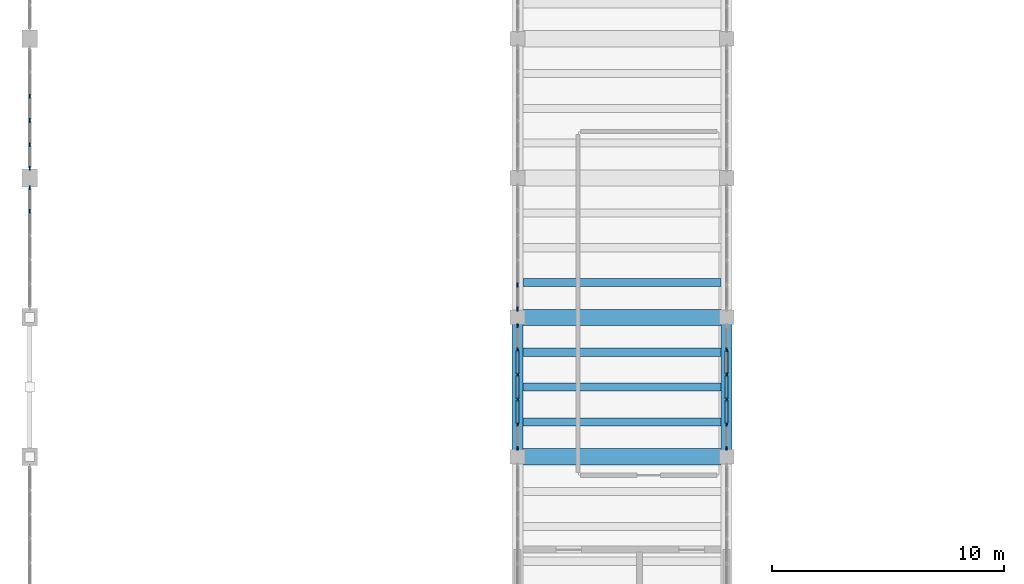
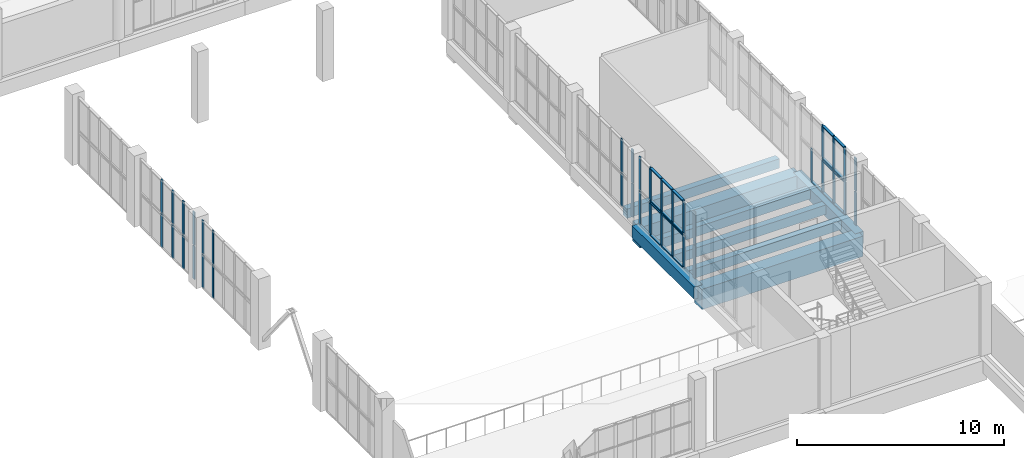
# One storey, part 5 of 85: 58 members, 8 beams, 10 elements without a shape of their own.
"""IFC4 building model written with IfcOpenShell, lengths in metres."""

from ifc_helpers import new_model, si_unit, direction, frame, origin, origin_2d, place, context, subcontext, project, spatial, rectangle, extrude, material, layer, layer_set, material_profile, profile_set, type_object, element, aggregate, save


model = new_model("IFC4")

# Units and contexts
model_context = context("Model", 3, precision=1e-05, world=origin(), true_north=direction((0.0, 1.0)))
body_context = subcontext(model_context, "Body", "Model", "MODEL_VIEW")
ifc_project = project(units=[si_unit("LENGTHUNIT", "METRE"), si_unit("AREAUNIT", "SQUARE_METRE"), si_unit("VOLUMEUNIT", "CUBIC_METRE"), si_unit("PLANEANGLEUNIT", "RADIAN"), si_unit("MASSUNIT", "GRAM", prefix="KILO")], contexts=[model_context])

# Site, building, storey
site_placement = place(None, origin())
site = spatial("IfcSite", under=ifc_project, at=site_placement, CompositionType="ELEMENT")
building_placement = place(site_placement, origin())
building = spatial("IfcBuilding", under=site, at=building_placement, Name="Solvane Community Centre", CompositionType="ELEMENT")
storey_placement = place(building_placement, frame((0.0, 0.0, 5.39990234375)))
storey = spatial("IfcBuildingStorey", under=building, at=storey_placement, Name="L01", CompositionType="ELEMENT", Elevation=5.39990234375)

# Curtain wall, members
ifc_material_1 = material(Name="Anodised bronze aluminium AW-6063 T6", Category="aluminium")
ifc_layer_1 = layer(ifc_material_1, 0.179931640625)
ifc_layer_set_1 = layer_set([ifc_layer_1], Name="Anodised bronze aluminium AW-6063 T6")
curtain_wall_type_1 = type_object("IfcCurtainWallType", Name="Hall Translucent Upper Curtain Wall [53x19dm]", PredefinedType="NOTDEFINED", material=ifc_layer_set_1)
curtain_wall_1_placement = place(storey_placement, origin())
curtain_wall_1 = element("IfcCurtainWall", 1, at=curtain_wall_1_placement, inside=storey, type_object=curtain_wall_type_1, Name="Curtain Wall CW-L01-360_543-043", PredefinedType="NOTDEFINED")
ifc_material_profile_1 = material_profile(ifc_material_1, rectangle(XDim=0.06005859375, YDim=0.179931640625, at=origin_2d()), Name="CW-M 60x180")
ifc_profile_set_1 = profile_set([ifc_material_profile_1], Name="Anodised bronze aluminium AW-6063 T6")
member_type_1 = type_object("IfcMemberType", Name="Hall Mullion 60x180", PredefinedType="MULLION", material=ifc_profile_set_1)
member_1_placement = place(storey_placement, frame((36.0, 54.360107421875, 0.0), z_axis=(0.0, 0.0, 1.0), x_axis=(-1.0, 0.0, 0.0)))
member_1 = element("IfcMember", 2, at=member_1_placement, type_object=member_type_1, Name="CW01-53x19 mullion 1", PredefinedType="MULLION", context=body_context, shape_type="SweptSolid", body=[
    extrude(rectangle(XDim=0.06005859375, YDim=0.179931640625, at=origin_2d()), origin(), (0.0, 0.0, 1.0), 1.9501953125),
])
member_2_placement = place(storey_placement, frame((36.0, 55.39794921875, 0.0), z_axis=(0.0, 0.0, 1.0), x_axis=(-1.0, 0.0, 0.0)))
member_2 = element("IfcMember", 3, at=member_2_placement, type_object=member_type_1, Name="CW01-53x19 mullion 2", PredefinedType="MULLION", context=body_context, shape_type="SweptSolid", body=[
    extrude(rectangle(XDim=0.06005859375, YDim=0.179931640625, at=origin_2d()), origin(), (0.0, 0.0, 1.0), 1.9501953125),
])
member_3_placement = place(storey_placement, frame((36.0, 56.466064453125, 0.0), z_axis=(0.0, 0.0, 1.0), x_axis=(-1.0, 0.0, 0.0)))
member_3 = element("IfcMember", 4, at=member_3_placement, type_object=member_type_1, Name="CW01-53x19 mullion 3", PredefinedType="MULLION", context=body_context, shape_type="SweptSolid", body=[
    extrude(rectangle(XDim=0.06005859375, YDim=0.179931640625, at=origin_2d()), origin(), (0.0, 0.0, 1.0), 1.9501953125),
])
member_4_placement = place(storey_placement, frame((36.0, 57.533935546875, 0.0), z_axis=(0.0, 0.0, 1.0), x_axis=(-1.0, 0.0, 0.0)))
member_4 = element("IfcMember", 5, at=member_4_placement, type_object=member_type_1, Name="CW01-53x19 mullion 4", PredefinedType="MULLION", context=body_context, shape_type="SweptSolid", body=[
    extrude(rectangle(XDim=0.06005859375, YDim=0.179931640625, at=origin_2d()), origin(), (0.0, 0.0, 1.0), 1.9501953125),
])
member_5_placement = place(storey_placement, frame((36.0, 58.60205078125, 0.0), z_axis=(0.0, 0.0, 1.0), x_axis=(-1.0, 0.0, 0.0)))
member_5 = element("IfcMember", 6, at=member_5_placement, type_object=member_type_1, Name="CW01-53x19 mullion 5", PredefinedType="MULLION", context=body_context, shape_type="SweptSolid", body=[
    extrude(rectangle(XDim=0.06005859375, YDim=0.179931640625, at=origin_2d()), origin(), (0.0, 0.0, 1.0), 1.9501953125),
])

ifc_layer_2 = layer(ifc_material_1, 0.179931640625)
ifc_layer_set_2 = layer_set([ifc_layer_2], Name="Anodised bronze aluminium AW-6063 T6")
curtain_wall_type_2 = type_object("IfcCurtainWallType", Name="Hall Translucent Upper Curtain Wall [53x20dm]", PredefinedType="NOTDEFINED", material=ifc_layer_set_2)
curtain_wall_2_placement = place(storey_placement, origin())
curtain_wall_2 = element("IfcCurtainWall", 7, at=curtain_wall_2_placement, inside=storey, type_object=curtain_wall_type_2, Name="Curtain Wall CW-L01-360_543-044", PredefinedType="NOTDEFINED")
member_6_placement = place(storey_placement, frame((36.0, 54.360107421875, 2.02001953125), z_axis=(0.0, 0.0, 1.0), x_axis=(-1.0, 0.0, 0.0)))
member_6 = element("IfcMember", 8, at=member_6_placement, type_object=member_type_1, Name="CW01-53x20 mullion 1", PredefinedType="MULLION", context=body_context, shape_type="SweptSolid", body=[
    extrude(rectangle(XDim=0.06005859375, YDim=0.179931640625, at=origin_2d()), origin(), (0.0, 0.0, 1.0), 1.9599609375),
])
member_7_placement = place(storey_placement, frame((36.0, 55.39794921875, 2.02001953125), z_axis=(0.0, 0.0, 1.0), x_axis=(-1.0, 0.0, 0.0)))
member_7 = element("IfcMember", 9, at=member_7_placement, type_object=member_type_1, Name="CW01-53x20 mullion 2", PredefinedType="MULLION", context=body_context, shape_type="SweptSolid", body=[
    extrude(rectangle(XDim=0.06005859375, YDim=0.179931640625, at=origin_2d()), origin(), (0.0, 0.0, 1.0), 1.9599609375),
])
member_8_placement = place(storey_placement, frame((36.0, 56.466064453125, 2.02001953125), z_axis=(0.0, 0.0, 1.0), x_axis=(-1.0, 0.0, 0.0)))
member_8 = element("IfcMember", 10, at=member_8_placement, type_object=member_type_1, Name="CW01-53x20 mullion 3", PredefinedType="MULLION", context=body_context, shape_type="SweptSolid", body=[
    extrude(rectangle(XDim=0.06005859375, YDim=0.179931640625, at=origin_2d()), origin(), (0.0, 0.0, 1.0), 1.9599609375),
])
member_9_placement = place(storey_placement, frame((36.0, 57.533935546875, 2.02001953125), z_axis=(0.0, 0.0, 1.0), x_axis=(-1.0, 0.0, 0.0)))
member_9 = element("IfcMember", 11, at=member_9_placement, type_object=member_type_1, Name="CW01-53x20 mullion 4", PredefinedType="MULLION", context=body_context, shape_type="SweptSolid", body=[
    extrude(rectangle(XDim=0.06005859375, YDim=0.179931640625, at=origin_2d()), origin(), (0.0, 0.0, 1.0), 1.9599609375),
])

curtain_wall_3_placement = place(storey_placement, origin())
curtain_wall_3 = element("IfcCurtainWall", 12, at=curtain_wall_3_placement, inside=storey, type_object=curtain_wall_type_1, Name="Curtain Wall CW-L01-270_597-047", PredefinedType="NOTDEFINED")
member_10_placement = place(storey_placement, frame((27.0, 59.639892578125, 0.0), z_axis=(0.0, 0.0, 1.0), x_axis=(1.0, 0.0, 0.0)))
member_10 = element("IfcMember", 13, at=member_10_placement, type_object=member_type_1, Name="CW01-53x19 mullion 1", PredefinedType="MULLION", context=body_context, shape_type="SweptSolid", body=[
    extrude(rectangle(XDim=0.06005859375, YDim=0.179931640625, at=origin_2d()), origin(), (0.0, 0.0, 1.0), 1.9501953125),
])
member_11_placement = place(storey_placement, frame((27.0, 58.60205078125, 0.0), z_axis=(0.0, 0.0, 1.0), x_axis=(1.0, 0.0, 0.0)))
member_11 = element("IfcMember", 14, at=member_11_placement, type_object=member_type_1, Name="CW01-53x19 mullion 2", PredefinedType="MULLION", context=body_context, shape_type="SweptSolid", body=[
    extrude(rectangle(XDim=0.06005859375, YDim=0.179931640625, at=origin_2d()), origin(), (0.0, 0.0, 1.0), 1.9501953125),
])
member_12_placement = place(storey_placement, frame((27.0, 57.533935546875, 0.0), z_axis=(0.0, 0.0, 1.0), x_axis=(1.0, 0.0, 0.0)))
member_12 = element("IfcMember", 15, at=member_12_placement, type_object=member_type_1, Name="CW01-53x19 mullion 3", PredefinedType="MULLION", context=body_context, shape_type="SweptSolid", body=[
    extrude(rectangle(XDim=0.06005859375, YDim=0.179931640625, at=origin_2d()), origin(), (0.0, 0.0, 1.0), 1.9501953125),
])
member_13_placement = place(storey_placement, frame((27.0, 56.466064453125, 0.0), z_axis=(0.0, 0.0, 1.0), x_axis=(1.0, 0.0, 0.0)))
member_13 = element("IfcMember", 16, at=member_13_placement, type_object=member_type_1, Name="CW01-53x19 mullion 4", PredefinedType="MULLION", context=body_context, shape_type="SweptSolid", body=[
    extrude(rectangle(XDim=0.06005859375, YDim=0.179931640625, at=origin_2d()), origin(), (0.0, 0.0, 1.0), 1.9501953125),
])
member_14_placement = place(storey_placement, frame((27.0, 55.39794921875, 0.0), z_axis=(0.0, 0.0, 1.0), x_axis=(1.0, 0.0, 0.0)))
member_14 = element("IfcMember", 17, at=member_14_placement, type_object=member_type_1, Name="CW01-53x19 mullion 5", PredefinedType="MULLION", context=body_context, shape_type="SweptSolid", body=[
    extrude(rectangle(XDim=0.06005859375, YDim=0.179931640625, at=origin_2d()), origin(), (0.0, 0.0, 1.0), 1.9501953125),
])
member_15_placement = place(storey_placement, frame((27.0, 54.360107421875, 0.0), z_axis=(0.0, 0.0, 1.0), x_axis=(1.0, 0.0, 0.0)))
member_15 = element("IfcMember", 18, at=member_15_placement, type_object=member_type_1, Name="CW01-53x19 mullion 6", PredefinedType="MULLION", context=body_context, shape_type="SweptSolid", body=[
    extrude(rectangle(XDim=0.06005859375, YDim=0.179931640625, at=origin_2d()), origin(), (0.0, 0.0, 1.0), 1.9501953125),
])

curtain_wall_4_placement = place(storey_placement, origin())
curtain_wall_4 = element("IfcCurtainWall", 19, at=curtain_wall_4_placement, inside=storey, type_object=curtain_wall_type_2, Name="Curtain Wall CW-L01-270_597-048", PredefinedType="NOTDEFINED")
member_16_placement = place(storey_placement, frame((27.0, 59.639892578125, 2.02001953125), z_axis=(0.0, 0.0, 1.0), x_axis=(1.0, 0.0, 0.0)))
member_16 = element("IfcMember", 20, at=member_16_placement, type_object=member_type_1, Name="CW01-53x20 mullion 1", PredefinedType="MULLION", context=body_context, shape_type="SweptSolid", body=[
    extrude(rectangle(XDim=0.06005859375, YDim=0.179931640625, at=origin_2d()), origin(), (0.0, 0.0, 1.0), 1.9599609375),
])
member_17_placement = place(storey_placement, frame((27.0, 58.60205078125, 2.02001953125), z_axis=(0.0, 0.0, 1.0), x_axis=(1.0, 0.0, 0.0)))
member_17 = element("IfcMember", 21, at=member_17_placement, type_object=member_type_1, Name="CW01-53x20 mullion 2", PredefinedType="MULLION", context=body_context, shape_type="SweptSolid", body=[
    extrude(rectangle(XDim=0.06005859375, YDim=0.179931640625, at=origin_2d()), origin(), (0.0, 0.0, 1.0), 1.9599609375),
])
member_18_placement = place(storey_placement, frame((27.0, 57.533935546875, 2.02001953125), z_axis=(0.0, 0.0, 1.0), x_axis=(1.0, 0.0, 0.0)))
member_18 = element("IfcMember", 22, at=member_18_placement, type_object=member_type_1, Name="CW01-53x20 mullion 3", PredefinedType="MULLION", context=body_context, shape_type="SweptSolid", body=[
    extrude(rectangle(XDim=0.06005859375, YDim=0.179931640625, at=origin_2d()), origin(), (0.0, 0.0, 1.0), 1.9599609375),
])
member_19_placement = place(storey_placement, frame((27.0, 56.466064453125, 2.02001953125), z_axis=(0.0, 0.0, 1.0), x_axis=(1.0, 0.0, 0.0)))
member_19 = element("IfcMember", 23, at=member_19_placement, type_object=member_type_1, Name="CW01-53x20 mullion 4", PredefinedType="MULLION", context=body_context, shape_type="SweptSolid", body=[
    extrude(rectangle(XDim=0.06005859375, YDim=0.179931640625, at=origin_2d()), origin(), (0.0, 0.0, 1.0), 1.9599609375),
])
member_20_placement = place(storey_placement, frame((27.0, 55.39794921875, 2.02001953125), z_axis=(0.0, 0.0, 1.0), x_axis=(1.0, 0.0, 0.0)))
member_20 = element("IfcMember", 24, at=member_20_placement, type_object=member_type_1, Name="CW01-53x20 mullion 5", PredefinedType="MULLION", context=body_context, shape_type="SweptSolid", body=[
    extrude(rectangle(XDim=0.06005859375, YDim=0.179931640625, at=origin_2d()), origin(), (0.0, 0.0, 1.0), 1.9599609375),
])
member_21_placement = place(storey_placement, frame((27.0, 54.360107421875, 2.02001953125), z_axis=(0.0, 0.0, 1.0), x_axis=(1.0, 0.0, 0.0)))
member_21 = element("IfcMember", 25, at=member_21_placement, type_object=member_type_1, Name="CW01-53x20 mullion 6", PredefinedType="MULLION", context=body_context, shape_type="SweptSolid", body=[
    extrude(rectangle(XDim=0.06005859375, YDim=0.179931640625, at=origin_2d()), origin(), (0.0, 0.0, 1.0), 1.9599609375),
])

ifc_layer_3 = layer(ifc_material_1, 0.179931640625)
ifc_layer_set_3 = layer_set([ifc_layer_3], Name="Anodised bronze aluminium AW-6063 T6")
curtain_wall_type_3 = type_object("IfcCurtainWallType", Name="Hall Translucent Upper Curtain Wall [52x19dm]", PredefinedType="NOTDEFINED", material=ifc_layer_set_3)
curtain_wall_5_placement = place(storey_placement, origin())
curtain_wall_5 = element("IfcCurtainWall", 26, at=curtain_wall_5_placement, inside=storey, type_object=curtain_wall_type_3, Name="Curtain Wall CW-L01-60_604-053", PredefinedType="NOTDEFINED")
member_22_placement = place(storey_placement, frame((6.0, 64.56298828125, 0.0), z_axis=(0.0, 0.0, 1.0), x_axis=(-1.0, 0.0, 0.0)))
member_22 = element("IfcMember", 27, at=member_22_placement, type_object=member_type_1, Name="CW01-52x19 mullion 5", PredefinedType="MULLION", context=body_context, shape_type="SweptSolid", body=[
    extrude(rectangle(XDim=0.06005859375, YDim=0.179931640625, at=origin_2d()), origin(), (0.0, 0.0, 1.0), 1.9501953125),
])
member_23_placement = place(storey_placement, frame((6.0, 65.574951171875, 0.0), z_axis=(0.0, 0.0, 1.0), x_axis=(-1.0, 0.0, 0.0)))
member_23 = element("IfcMember", 28, at=member_23_placement, type_object=member_type_1, Name="CW01-52x19 mullion 6", PredefinedType="MULLION", context=body_context, shape_type="SweptSolid", body=[
    extrude(rectangle(XDim=0.06005859375, YDim=0.179931640625, at=origin_2d()), origin(), (0.0, 0.0, 1.0), 1.9501953125),
])
aggregate(curtain_wall_5, [member_22, member_23])

ifc_layer_4 = layer(ifc_material_1, 0.179931640625)
ifc_layer_set_4 = layer_set([ifc_layer_4], Name="Anodised bronze aluminium AW-6063 T6")
curtain_wall_type_4 = type_object("IfcCurtainWallType", Name="Hall Translucent Upper Curtain Wall [52x20dm]", PredefinedType="NOTDEFINED", material=ifc_layer_set_4)
curtain_wall_6_placement = place(storey_placement, origin())
curtain_wall_6 = element("IfcCurtainWall", 29, at=curtain_wall_6_placement, inside=storey, type_object=curtain_wall_type_4, Name="Curtain Wall CW-L01-60_604-054", PredefinedType="NOTDEFINED")
member_24_placement = place(storey_placement, frame((6.0, 64.56298828125, 2.02001953125), z_axis=(0.0, 0.0, 1.0), x_axis=(-1.0, 0.0, 0.0)))
member_24 = element("IfcMember", 30, at=member_24_placement, type_object=member_type_1, Name="CW01-52x20 mullion 5", PredefinedType="MULLION", context=body_context, shape_type="SweptSolid", body=[
    extrude(rectangle(XDim=0.06005859375, YDim=0.179931640625, at=origin_2d()), origin(), (0.0, 0.0, 1.0), 1.9599609375),
])
member_25_placement = place(storey_placement, frame((6.0, 65.574951171875, 2.02001953125), z_axis=(0.0, 0.0, 1.0), x_axis=(-1.0, 0.0, 0.0)))
member_25 = element("IfcMember", 31, at=member_25_placement, type_object=member_type_1, Name="CW01-52x20 mullion 6", PredefinedType="MULLION", context=body_context, shape_type="SweptSolid", body=[
    extrude(rectangle(XDim=0.06005859375, YDim=0.179931640625, at=origin_2d()), origin(), (0.0, 0.0, 1.0), 1.9599609375),
])
aggregate(curtain_wall_6, [member_24, member_25])

curtain_wall_7_placement = place(storey_placement, origin())
curtain_wall_7 = element("IfcCurtainWall", 32, at=curtain_wall_7_placement, inside=storey, type_object=curtain_wall_type_1, Name="Curtain Wall CW-L01-270_657-055", PredefinedType="NOTDEFINED")
member_26_placement = place(storey_placement, frame((27.0, 61.39794921875, 0.0), z_axis=(0.0, 0.0, 1.0), x_axis=(1.0, 0.0, 0.0)))
member_26 = element("IfcMember", 33, at=member_26_placement, type_object=member_type_1, Name="CW01-53x19 mullion 5", PredefinedType="MULLION", context=body_context, shape_type="SweptSolid", body=[
    extrude(rectangle(XDim=0.06005859375, YDim=0.179931640625, at=origin_2d()), origin(), (0.0, 0.0, 1.0), 1.9501953125),
])
member_27_placement = place(storey_placement, frame((27.0, 60.360107421875, 0.0), z_axis=(0.0, 0.0, 1.0), x_axis=(1.0, 0.0, 0.0)))
member_27 = element("IfcMember", 34, at=member_27_placement, type_object=member_type_1, Name="CW01-53x19 mullion 6", PredefinedType="MULLION", context=body_context, shape_type="SweptSolid", body=[
    extrude(rectangle(XDim=0.06005859375, YDim=0.179931640625, at=origin_2d()), origin(), (0.0, 0.0, 1.0), 1.9501953125),
])
aggregate(curtain_wall_7, [member_26, member_27])

curtain_wall_8_placement = place(storey_placement, origin())
curtain_wall_8 = element("IfcCurtainWall", 35, at=curtain_wall_8_placement, inside=storey, type_object=curtain_wall_type_2, Name="Curtain Wall CW-L01-270_657-056", PredefinedType="NOTDEFINED")
member_28_placement = place(storey_placement, frame((27.0, 61.39794921875, 2.02001953125), z_axis=(0.0, 0.0, 1.0), x_axis=(1.0, 0.0, 0.0)))
member_28 = element("IfcMember", 36, at=member_28_placement, type_object=member_type_1, Name="CW01-53x20 mullion 5", PredefinedType="MULLION", context=body_context, shape_type="SweptSolid", body=[
    extrude(rectangle(XDim=0.06005859375, YDim=0.179931640625, at=origin_2d()), origin(), (0.0, 0.0, 1.0), 1.9599609375),
])
member_29_placement = place(storey_placement, frame((27.0, 60.360107421875, 2.02001953125), z_axis=(0.0, 0.0, 1.0), x_axis=(1.0, 0.0, 0.0)))
member_29 = element("IfcMember", 37, at=member_29_placement, type_object=member_type_1, Name="CW01-53x20 mullion 6", PredefinedType="MULLION", context=body_context, shape_type="SweptSolid", body=[
    extrude(rectangle(XDim=0.06005859375, YDim=0.179931640625, at=origin_2d()), origin(), (0.0, 0.0, 1.0), 1.9599609375),
])
aggregate(curtain_wall_8, [member_28, member_29])

curtain_wall_9_placement = place(storey_placement, origin())
curtain_wall_9 = element("IfcCurtainWall", 38, at=curtain_wall_9_placement, inside=storey, type_object=curtain_wall_type_3, Name="Curtain Wall CW-L01-60_664-061", PredefinedType="NOTDEFINED")
member_30_placement = place(storey_placement, frame((6.0, 66.425048828125, 0.0), z_axis=(0.0, 0.0, 1.0), x_axis=(-1.0, 0.0, 0.0)))
member_30 = element("IfcMember", 39, at=member_30_placement, type_object=member_type_1, Name="CW01-52x19 mullion 1", PredefinedType="MULLION", context=body_context, shape_type="SweptSolid", body=[
    extrude(rectangle(XDim=0.06005859375, YDim=0.179931640625, at=origin_2d()), origin(), (0.0, 0.0, 1.0), 1.9501953125),
])
member_31_placement = place(storey_placement, frame((6.0, 67.43701171875, 0.0), z_axis=(0.0, 0.0, 1.0), x_axis=(-1.0, 0.0, 0.0)))
member_31 = element("IfcMember", 40, at=member_31_placement, type_object=member_type_1, Name="CW01-52x19 mullion 2", PredefinedType="MULLION", context=body_context, shape_type="SweptSolid", body=[
    extrude(rectangle(XDim=0.06005859375, YDim=0.179931640625, at=origin_2d()), origin(), (0.0, 0.0, 1.0), 1.9501953125),
])
member_32_placement = place(storey_placement, frame((6.0, 68.47900390625, 0.0), z_axis=(0.0, 0.0, 1.0), x_axis=(-1.0, 0.0, 0.0)))
member_32 = element("IfcMember", 41, at=member_32_placement, type_object=member_type_1, Name="CW01-52x19 mullion 3", PredefinedType="MULLION", context=body_context, shape_type="SweptSolid", body=[
    extrude(rectangle(XDim=0.06005859375, YDim=0.179931640625, at=origin_2d()), origin(), (0.0, 0.0, 1.0), 1.9501953125),
])
member_33_placement = place(storey_placement, frame((6.0, 69.52099609375, 0.0), z_axis=(0.0, 0.0, 1.0), x_axis=(-1.0, 0.0, 0.0)))
member_33 = element("IfcMember", 42, at=member_33_placement, type_object=member_type_1, Name="CW01-52x19 mullion 4", PredefinedType="MULLION", context=body_context, shape_type="SweptSolid", body=[
    extrude(rectangle(XDim=0.06005859375, YDim=0.179931640625, at=origin_2d()), origin(), (0.0, 0.0, 1.0), 1.9501953125),
])
aggregate(curtain_wall_9, [member_30, member_31, member_32, member_33])

curtain_wall_10_placement = place(storey_placement, origin())
curtain_wall_10 = element("IfcCurtainWall", 43, at=curtain_wall_10_placement, inside=storey, type_object=curtain_wall_type_4, Name="Curtain Wall CW-L01-60_664-062", PredefinedType="NOTDEFINED")
member_34_placement = place(storey_placement, frame((6.0, 66.425048828125, 2.02001953125), z_axis=(0.0, 0.0, 1.0), x_axis=(-1.0, 0.0, 0.0)))
member_34 = element("IfcMember", 44, at=member_34_placement, type_object=member_type_1, Name="CW01-52x20 mullion 1", PredefinedType="MULLION", context=body_context, shape_type="SweptSolid", body=[
    extrude(rectangle(XDim=0.06005859375, YDim=0.179931640625, at=origin_2d()), origin(), (0.0, 0.0, 1.0), 1.9599609375),
])
member_35_placement = place(storey_placement, frame((6.0, 67.43701171875, 2.02001953125), z_axis=(0.0, 0.0, 1.0), x_axis=(-1.0, 0.0, 0.0)))
member_35 = element("IfcMember", 45, at=member_35_placement, type_object=member_type_1, Name="CW01-52x20 mullion 2", PredefinedType="MULLION", context=body_context, shape_type="SweptSolid", body=[
    extrude(rectangle(XDim=0.06005859375, YDim=0.179931640625, at=origin_2d()), origin(), (0.0, 0.0, 1.0), 1.9599609375),
])
member_36_placement = place(storey_placement, frame((6.0, 68.47900390625, 2.02001953125), z_axis=(0.0, 0.0, 1.0), x_axis=(-1.0, 0.0, 0.0)))
member_36 = element("IfcMember", 46, at=member_36_placement, type_object=member_type_1, Name="CW01-52x20 mullion 3", PredefinedType="MULLION", context=body_context, shape_type="SweptSolid", body=[
    extrude(rectangle(XDim=0.06005859375, YDim=0.179931640625, at=origin_2d()), origin(), (0.0, 0.0, 1.0), 1.9599609375),
])
member_37_placement = place(storey_placement, frame((6.0, 69.52099609375, 2.02001953125), z_axis=(0.0, 0.0, 1.0), x_axis=(-1.0, 0.0, 0.0)))
member_37 = element("IfcMember", 47, at=member_37_placement, type_object=member_type_1, Name="CW01-52x20 mullion 4", PredefinedType="MULLION", context=body_context, shape_type="SweptSolid", body=[
    extrude(rectangle(XDim=0.06005859375, YDim=0.179931640625, at=origin_2d()), origin(), (0.0, 0.0, 1.0), 1.9599609375),
])
aggregate(curtain_wall_10, [member_34, member_35, member_36, member_37])

# Member
ifc_material_profile_2 = material_profile(ifc_material_1, rectangle(XDim=0.139892578125, YDim=0.06005859375, at=origin_2d()), Name="CW-T 60x140")
ifc_profile_set_2 = profile_set([ifc_material_profile_2], Name="Anodised bronze aluminium AW-6063 T6")
member_type_2 = type_object("IfcMemberType", Name="Hall Transom 60x140", PredefinedType="USERDEFINED", material=ifc_profile_set_2)
member_38_placement = place(storey_placement, frame((36.0, 55.427978515625, 0.030029296875), z_axis=(0.0, 1.0, 0.0), x_axis=(-1.0, 0.0, 0.0)))
member_38 = element("IfcMember", 48, at=member_38_placement, type_object=member_type_2, Name="CW01-53x19 transom 2.1", ObjectType="TRANSOM", PredefinedType="USERDEFINED", context=body_context, shape_type="SweptSolid", body=[
    extrude(rectangle(XDim=0.139892578125, YDim=0.06005859375, at=origin_2d()), origin(), (0.0, 0.0, 1.0), 1.008056640625),
])

member_39_placement = place(storey_placement, frame((36.0, 55.427978515625, 1.920166015625), z_axis=(0.0, 1.0, 0.0), x_axis=(-1.0, 0.0, 0.0)))
member_39 = element("IfcMember", 49, at=member_39_placement, type_object=member_type_2, Name="CW01-53x19 transom 2.2", ObjectType="TRANSOM", PredefinedType="USERDEFINED", context=body_context, shape_type="SweptSolid", body=[
    extrude(rectangle(XDim=0.139892578125, YDim=0.06005859375, at=origin_2d()), origin(), (0.0, 0.0, 1.0), 1.008056640625),
])

member_40_placement = place(storey_placement, frame((36.0, 56.49609375, 0.030029296875), z_axis=(0.0, 1.0, 0.0), x_axis=(-1.0, 0.0, 0.0)))
member_40 = element("IfcMember", 50, at=member_40_placement, type_object=member_type_2, Name="CW01-53x19 transom 3.1", ObjectType="TRANSOM", PredefinedType="USERDEFINED", context=body_context, shape_type="SweptSolid", body=[
    extrude(rectangle(XDim=0.139892578125, YDim=0.06005859375, at=origin_2d()), origin(), (0.0, 0.0, 1.0), 1.0078125),
])

member_41_placement = place(storey_placement, frame((36.0, 56.49609375, 1.920166015625), z_axis=(0.0, 1.0, 0.0), x_axis=(-1.0, 0.0, 0.0)))
member_41 = element("IfcMember", 51, at=member_41_placement, type_object=member_type_2, Name="CW01-53x19 transom 3.2", ObjectType="TRANSOM", PredefinedType="USERDEFINED", context=body_context, shape_type="SweptSolid", body=[
    extrude(rectangle(XDim=0.139892578125, YDim=0.06005859375, at=origin_2d()), origin(), (0.0, 0.0, 1.0), 1.0078125),
])

member_42_placement = place(storey_placement, frame((36.0, 57.56396484375, 0.030029296875), z_axis=(0.0, 1.0, 0.0), x_axis=(-1.0, 0.0, 0.0)))
member_42 = element("IfcMember", 52, at=member_42_placement, type_object=member_type_2, Name="CW01-53x19 transom 4.1", ObjectType="TRANSOM", PredefinedType="USERDEFINED", context=body_context, shape_type="SweptSolid", body=[
    extrude(rectangle(XDim=0.139892578125, YDim=0.06005859375, at=origin_2d()), origin(), (0.0, 0.0, 1.0), 1.008056640625),
])

aggregate(curtain_wall_1, [member_1, member_2, member_3, member_4, member_5, member_38, member_39, member_40, member_41, member_42])

member_43_placement = place(storey_placement, frame((36.0, 55.427978515625, 2.050048828125), z_axis=(0.0, 1.0, 0.0), x_axis=(-1.0, 0.0, 0.0)))
member_43 = element("IfcMember", 53, at=member_43_placement, type_object=member_type_2, Name="CW01-53x20 transom 2.1", ObjectType="TRANSOM", PredefinedType="USERDEFINED", context=body_context, shape_type="SweptSolid", body=[
    extrude(rectangle(XDim=0.139892578125, YDim=0.06005859375, at=origin_2d()), origin(), (0.0, 0.0, 1.0), 1.008056640625),
])

member_44_placement = place(storey_placement, frame((36.0, 55.427978515625, 3.9501953125), z_axis=(0.0, 1.0, 0.0), x_axis=(-1.0, 0.0, 0.0)))
member_44 = element("IfcMember", 54, at=member_44_placement, type_object=member_type_2, Name="CW01-53x20 transom 2.2", ObjectType="TRANSOM", PredefinedType="USERDEFINED", context=body_context, shape_type="SweptSolid", body=[
    extrude(rectangle(XDim=0.139892578125, YDim=0.06005859375, at=origin_2d()), origin(), (0.0, 0.0, 1.0), 1.008056640625),
])

member_45_placement = place(storey_placement, frame((36.0, 56.49609375, 2.050048828125), z_axis=(0.0, 1.0, 0.0), x_axis=(-1.0, 0.0, 0.0)))
member_45 = element("IfcMember", 55, at=member_45_placement, type_object=member_type_2, Name="CW01-53x20 transom 3.1", ObjectType="TRANSOM", PredefinedType="USERDEFINED", context=body_context, shape_type="SweptSolid", body=[
    extrude(rectangle(XDim=0.139892578125, YDim=0.06005859375, at=origin_2d()), origin(), (0.0, 0.0, 1.0), 1.0078125),
])

member_46_placement = place(storey_placement, frame((36.0, 56.49609375, 3.9501953125), z_axis=(0.0, 1.0, 0.0), x_axis=(-1.0, 0.0, 0.0)))
member_46 = element("IfcMember", 56, at=member_46_placement, type_object=member_type_2, Name="CW01-53x20 transom 3.2", ObjectType="TRANSOM", PredefinedType="USERDEFINED", context=body_context, shape_type="SweptSolid", body=[
    extrude(rectangle(XDim=0.139892578125, YDim=0.06005859375, at=origin_2d()), origin(), (0.0, 0.0, 1.0), 1.0078125),
])

aggregate(curtain_wall_2, [member_6, member_7, member_8, member_9, member_43, member_44, member_45, member_46])

member_47_placement = place(storey_placement, frame((27.0, 58.572021484375, 0.030029296875), z_axis=(0.0, -1.0, 0.0), x_axis=(1.0, 0.0, 0.0)))
member_47 = element("IfcMember", 57, at=member_47_placement, type_object=member_type_2, Name="CW01-53x19 transom 2.1", ObjectType="TRANSOM", PredefinedType="USERDEFINED", context=body_context, shape_type="SweptSolid", body=[
    extrude(rectangle(XDim=0.139892578125, YDim=0.06005859375, at=origin_2d()), origin(), (0.0, 0.0, 1.0), 1.008056640625),
])

member_48_placement = place(storey_placement, frame((27.0, 58.572021484375, 1.920166015625), z_axis=(0.0, -1.0, 0.0), x_axis=(1.0, 0.0, 0.0)))
member_48 = element("IfcMember", 58, at=member_48_placement, type_object=member_type_2, Name="CW01-53x19 transom 2.2", ObjectType="TRANSOM", PredefinedType="USERDEFINED", context=body_context, shape_type="SweptSolid", body=[
    extrude(rectangle(XDim=0.139892578125, YDim=0.06005859375, at=origin_2d()), origin(), (0.0, 0.0, 1.0), 1.008056640625),
])

member_49_placement = place(storey_placement, frame((27.0, 57.50390625, 0.030029296875), z_axis=(0.0, -1.0, 0.0), x_axis=(1.0, 0.0, 0.0)))
member_49 = element("IfcMember", 59, at=member_49_placement, type_object=member_type_2, Name="CW01-53x19 transom 3.1", ObjectType="TRANSOM", PredefinedType="USERDEFINED", context=body_context, shape_type="SweptSolid", body=[
    extrude(rectangle(XDim=0.139892578125, YDim=0.06005859375, at=origin_2d()), origin(), (0.0, 0.0, 1.0), 1.0078125),
])

member_50_placement = place(storey_placement, frame((27.0, 57.50390625, 1.920166015625), z_axis=(0.0, -1.0, 0.0), x_axis=(1.0, 0.0, 0.0)))
member_50 = element("IfcMember", 60, at=member_50_placement, type_object=member_type_2, Name="CW01-53x19 transom 3.2", ObjectType="TRANSOM", PredefinedType="USERDEFINED", context=body_context, shape_type="SweptSolid", body=[
    extrude(rectangle(XDim=0.139892578125, YDim=0.06005859375, at=origin_2d()), origin(), (0.0, 0.0, 1.0), 1.0078125),
])

member_51_placement = place(storey_placement, frame((27.0, 56.43603515625, 0.030029296875), z_axis=(0.0, -1.0, 0.0), x_axis=(1.0, 0.0, 0.0)))
member_51 = element("IfcMember", 61, at=member_51_placement, type_object=member_type_2, Name="CW01-53x19 transom 4.1", ObjectType="TRANSOM", PredefinedType="USERDEFINED", context=body_context, shape_type="SweptSolid", body=[
    extrude(rectangle(XDim=0.139892578125, YDim=0.06005859375, at=origin_2d()), origin(), (0.0, 0.0, 1.0), 1.008056640625),
])

member_52_placement = place(storey_placement, frame((27.0, 56.43603515625, 1.920166015625), z_axis=(0.0, -1.0, 0.0), x_axis=(1.0, 0.0, 0.0)))
member_52 = element("IfcMember", 62, at=member_52_placement, type_object=member_type_2, Name="CW01-53x19 transom 4.2", ObjectType="TRANSOM", PredefinedType="USERDEFINED", context=body_context, shape_type="SweptSolid", body=[
    extrude(rectangle(XDim=0.139892578125, YDim=0.06005859375, at=origin_2d()), origin(), (0.0, 0.0, 1.0), 1.008056640625),
])

aggregate(curtain_wall_3, [member_10, member_11, member_12, member_13, member_14, member_15, member_47, member_48, member_49, member_50, member_51, member_52])

member_53_placement = place(storey_placement, frame((27.0, 58.572021484375, 2.050048828125), z_axis=(0.0, -1.0, 0.0), x_axis=(1.0, 0.0, 0.0)))
member_53 = element("IfcMember", 63, at=member_53_placement, type_object=member_type_2, Name="CW01-53x20 transom 2.1", ObjectType="TRANSOM", PredefinedType="USERDEFINED", context=body_context, shape_type="SweptSolid", body=[
    extrude(rectangle(XDim=0.139892578125, YDim=0.06005859375, at=origin_2d()), origin(), (0.0, 0.0, 1.0), 1.008056640625),
])

member_54_placement = place(storey_placement, frame((27.0, 58.572021484375, 3.9501953125), z_axis=(0.0, -1.0, 0.0), x_axis=(1.0, 0.0, 0.0)))
member_54 = element("IfcMember", 64, at=member_54_placement, type_object=member_type_2, Name="CW01-53x20 transom 2.2", ObjectType="TRANSOM", PredefinedType="USERDEFINED", context=body_context, shape_type="SweptSolid", body=[
    extrude(rectangle(XDim=0.139892578125, YDim=0.06005859375, at=origin_2d()), origin(), (0.0, 0.0, 1.0), 1.008056640625),
])

member_55_placement = place(storey_placement, frame((27.0, 57.50390625, 2.050048828125), z_axis=(0.0, -1.0, 0.0), x_axis=(1.0, 0.0, 0.0)))
member_55 = element("IfcMember", 65, at=member_55_placement, type_object=member_type_2, Name="CW01-53x20 transom 3.1", ObjectType="TRANSOM", PredefinedType="USERDEFINED", context=body_context, shape_type="SweptSolid", body=[
    extrude(rectangle(XDim=0.139892578125, YDim=0.06005859375, at=origin_2d()), origin(), (0.0, 0.0, 1.0), 1.0078125),
])

member_56_placement = place(storey_placement, frame((27.0, 57.50390625, 3.9501953125), z_axis=(0.0, -1.0, 0.0), x_axis=(1.0, 0.0, 0.0)))
member_56 = element("IfcMember", 66, at=member_56_placement, type_object=member_type_2, Name="CW01-53x20 transom 3.2", ObjectType="TRANSOM", PredefinedType="USERDEFINED", context=body_context, shape_type="SweptSolid", body=[
    extrude(rectangle(XDim=0.139892578125, YDim=0.06005859375, at=origin_2d()), origin(), (0.0, 0.0, 1.0), 1.0078125),
])

member_57_placement = place(storey_placement, frame((27.0, 56.43603515625, 2.050048828125), z_axis=(0.0, -1.0, 0.0), x_axis=(1.0, 0.0, 0.0)))
member_57 = element("IfcMember", 67, at=member_57_placement, type_object=member_type_2, Name="CW01-53x20 transom 4.1", ObjectType="TRANSOM", PredefinedType="USERDEFINED", context=body_context, shape_type="SweptSolid", body=[
    extrude(rectangle(XDim=0.139892578125, YDim=0.06005859375, at=origin_2d()), origin(), (0.0, 0.0, 1.0), 1.008056640625),
])

member_58_placement = place(storey_placement, frame((27.0, 56.43603515625, 3.9501953125), z_axis=(0.0, -1.0, 0.0), x_axis=(1.0, 0.0, 0.0)))
member_58 = element("IfcMember", 68, at=member_58_placement, type_object=member_type_2, Name="CW01-53x20 transom 4.2", ObjectType="TRANSOM", PredefinedType="USERDEFINED", context=body_context, shape_type="SweptSolid", body=[
    extrude(rectangle(XDim=0.139892578125, YDim=0.06005859375, at=origin_2d()), origin(), (0.0, 0.0, 1.0), 1.008056640625),
])

aggregate(curtain_wall_4, [member_16, member_17, member_18, member_19, member_20, member_21, member_53, member_54, member_55, member_56, member_57, member_58])

# Beams
ifc_material_2 = material(Name="Concrete C35/45", Category="concrete")
ifc_material_profile_3 = material_profile(ifc_material_2, rectangle(XDim=0.4599609375, YDim=0.719970703125, at=origin_2d()), Name="RC 460x720")
ifc_profile_set_3 = profile_set([ifc_material_profile_3], Name="Concrete C35/45")
beam_type_1 = type_object("IfcBeamType", Name="RC Cloister Beam 460x720", PredefinedType="BEAM", material=ifc_profile_set_3)
for number, where, z_axis, x_axis, name in (
    (69, (27.0, 54.0, -0.599853515625), (0.0, 1.0, 0.0), (-1.0, 0.0, 0.0), "Beam BM-L01-270_540-270_600"),
    (70, (36.0, 54.0, -0.599853515625), (0.0, 1.0, 0.0), (-1.0, 0.0, 0.0), "Beam BM-L01-360_540-360_600"),
):
    element("IfcBeam", number, at=place(storey_placement, frame(where, z_axis=z_axis, x_axis=x_axis)), inside=storey, type_object=beam_type_1, Name=name, PredefinedType="BEAM", context=body_context, shape_type="SweptSolid", body=[
        extrude(rectangle(XDim=0.4599609375, YDim=0.719970703125, at=origin_2d()), origin(), (0.0, 0.0, 1.0), 6.0),
    ])
ifc_material_profile_4 = material_profile(ifc_material_2, rectangle(XDim=0.35009765625, YDim=0.550048828125, at=origin_2d()), Name="RC 350x550")
ifc_profile_set_4 = profile_set([ifc_material_profile_4], Name="Concrete C35/45")
beam_type_2 = type_object("IfcBeamType", Name="RC Secondary Joist 350x550", PredefinedType="JOIST", material=ifc_profile_set_4)
for number, where, z_axis, x_axis, name in (
    (71, (27.239990234375, 55.5, -0.514892578125), (1.0, 0.0, 0.0), (0.0, 1.0, 0.0), "Beam BM-L01-272_555-358_555"),
    (72, (27.239990234375, 57.0, -0.514892578125), (1.0, 0.0, 0.0), (0.0, 1.0, 0.0), "Beam BM-L01-272_570-358_570"),
    (73, (27.239990234375, 58.5, -0.514892578125), (1.0, 0.0, 0.0), (0.0, 1.0, 0.0), "Beam BM-L01-272_585-358_585"),
    (74, (27.239990234375, 61.5, -0.514892578125), (1.0, 0.0, 0.0), (0.0, 1.0, 0.0), "Beam BM-L01-272_615-358_615"),
):
    element("IfcBeam", number, at=place(storey_placement, frame(where, z_axis=z_axis, x_axis=x_axis)), inside=storey, type_object=beam_type_2, Name=name, PredefinedType="JOIST", context=body_context, shape_type="SweptSolid", body=[
        extrude(rectangle(XDim=0.35009765625, YDim=0.550048828125, at=origin_2d()), origin(), (0.0, 0.0, 1.0), 8.52001953125),
    ])
ifc_material_profile_5 = material_profile(ifc_material_2, rectangle(XDim=0.699951171875, YDim=1.199951171875, at=origin_2d()), Name="RC 700x1200")
ifc_profile_set_5 = profile_set([ifc_material_profile_5], Name="Concrete C35/45")
beam_type_3 = type_object("IfcBeamType", Name="RC Transfer Girder 700x1200", PredefinedType="USERDEFINED", material=ifc_profile_set_5)
for number, where, z_axis, x_axis, name in (
    (75, (27.0, 54.0, -0.83984375), (1.0, 0.0, 0.0), (0.0, 1.0, 0.0), "Beam BM-L01-270_540-360_540"),
    (76, (27.0, 60.0, -0.83984375), (1.0, 0.0, 0.0), (0.0, 1.0, 0.0), "Beam BM-L01-270_600-360_600"),
):
    element("IfcBeam", number, at=place(storey_placement, frame(where, z_axis=z_axis, x_axis=x_axis)), inside=storey, type_object=beam_type_3, Name=name, ObjectType="GIRDER", PredefinedType="USERDEFINED", context=body_context, shape_type="SweptSolid", body=[
        extrude(rectangle(XDim=0.699951171875, YDim=1.199951171875, at=origin_2d()), origin(), (0.0, 0.0, 1.0), 9.0),
    ])

save(model, "model.ifc")
